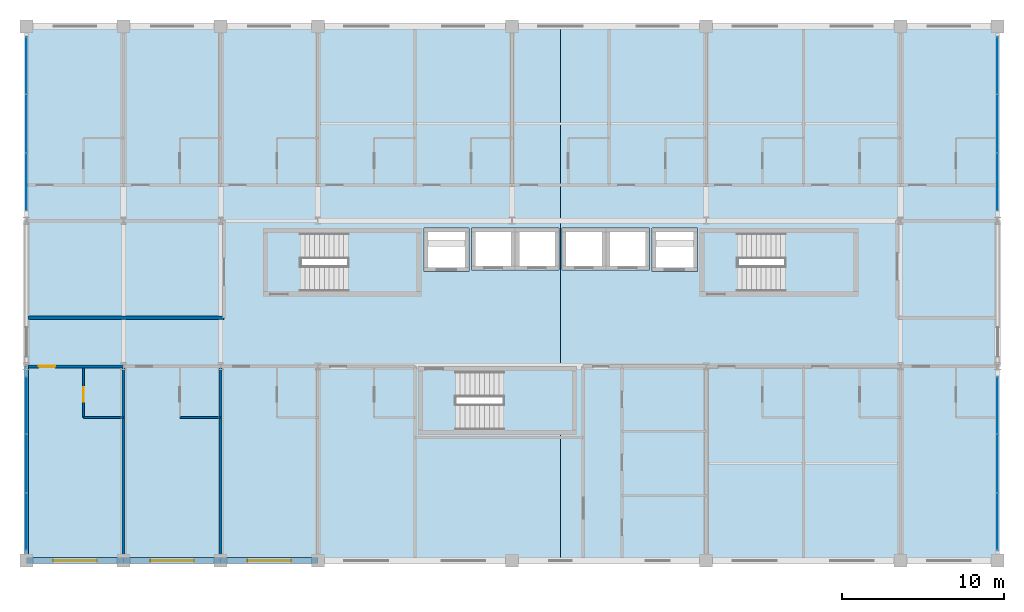
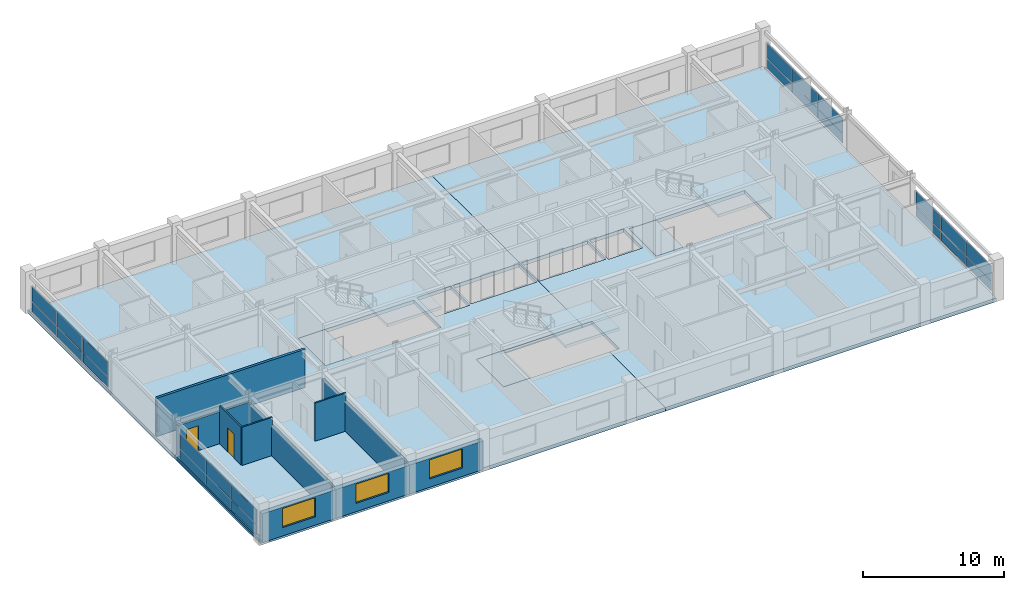
# One storey, part 20 of 26: 24 plates, 11 walls, 8 slabs, 3 windows, 2 doors, 5 openings, 7 elements without a shape of their own.
"""IFC4 building model written with IfcOpenShell, lengths in metres."""

from ifc_helpers import new_model, si_unit, direction, frame, frame_2d, origin, origin_2d, place, context, subcontext, project, spatial, polyline, rectangle, outline, extrude, material, layer, layer_set, type_object, element, fill, aggregate, save


model = new_model("IFC4")

# Units and contexts
model_context = context("Model", 3, precision=1e-05, world=origin(), true_north=direction((0.0, 1.0)))
body_context = subcontext(model_context, "Body", "Model", "MODEL_VIEW")
ifc_project = project(units=[si_unit("LENGTHUNIT", "METRE"), si_unit("AREAUNIT", "SQUARE_METRE"), si_unit("VOLUMEUNIT", "CUBIC_METRE"), si_unit("PLANEANGLEUNIT", "RADIAN"), si_unit("MASSUNIT", "GRAM", prefix="KILO")], contexts=[model_context])

# Site, building, storey
site_placement = place(None, origin())
site = spatial("IfcSite", under=ifc_project, at=site_placement, CompositionType="ELEMENT")
building_placement = place(site_placement, origin())
building = spatial("IfcBuilding", under=site, at=building_placement, Name="Kaldorvane Square Convention Centre", CompositionType="ELEMENT")
storey_placement = place(building_placement, frame((0.0, 0.0, 42.0)))
storey = spatial("IfcBuildingStorey", under=building, at=storey_placement, Name="L09", CompositionType="ELEMENT", Elevation=42.0)

# Curtain wall, plates
ifc_material_1 = material(Name="Anodized Aluminum and Low-E Insulated Glazing", Category="aluminium")
curtain_wall_type_1 = type_object("IfcCurtainWallType", Name="CW-UNI-HTL-A", PredefinedType="USERDEFINED", material=ifc_material_1)
curtain_wall_1_placement = place(storey_placement, origin())
curtain_wall_1 = element("IfcCurtainWall", 1, at=curtain_wall_1_placement, inside=storey, type_object=curtain_wall_type_1, Name="Curtain Wall CW-10 (L09)", ObjectType="UNITISED GLAZING", PredefinedType="USERDEFINED")
ifc_layer_1 = layer(ifc_material_1, 0.0240020751953125)
ifc_layer_set_1 = layer_set([ifc_layer_1], Name="Anodized Aluminum and Low-E Insulated Glazing")
plate_type_1 = type_object("IfcPlateType", Name="CW-PNL-11", PredefinedType="CURTAIN_PANEL", material=ifc_layer_set_1)
plate_1_placement = place(storey_placement, frame((84.0, 86.41499328613281, 0.2050018310546875), z_axis=(0.0, 0.0, 1.0), x_axis=(0.0, 1.0, 0.0)))
plate_1 = element("IfcPlate", 2, at=plate_1_placement, type_object=plate_type_1, Name="CW-10 panel 1.1", PredefinedType="CURTAIN_PANEL", context=body_context, shape_type="SweptSolid", body=[
    extrude(rectangle(XDim=3.5099945068359375, YDim=0.0240020751953125, at=origin_2d()), origin(), (0.0, 0.0, 1.0), 0.8175048828125),
])
plate_2_placement = place(storey_placement, frame((84.0, 86.41499328613281, 1.0774993896484375), z_axis=(0.0, 0.0, 1.0), x_axis=(0.0, 1.0, 0.0)))
plate_2 = element("IfcPlate", 3, at=plate_2_placement, type_object=plate_type_1, Name="CW-10 panel 1.2", PredefinedType="CURTAIN_PANEL", context=body_context, shape_type="SweptSolid", body=[
    extrude(rectangle(XDim=3.5099945068359375, YDim=0.0240020751953125, at=origin_2d()), origin(), (0.0, 0.0, 1.0), 1.277496337890625),
])
plate_3_placement = place(storey_placement, frame((84.0, 90.0, 0.2050018310546875), z_axis=(0.0, 0.0, 1.0), x_axis=(0.0, 1.0, 0.0)))
plate_3 = element("IfcPlate", 4, at=plate_3_placement, type_object=plate_type_1, Name="CW-10 panel 2.1", PredefinedType="CURTAIN_PANEL", context=body_context, shape_type="SweptSolid", body=[
    extrude(rectangle(XDim=3.5399932861328125, YDim=0.0240020751953125, at=origin_2d()), origin(), (0.0, 0.0, 1.0), 0.8175048828125),
])
plate_4_placement = place(storey_placement, frame((84.0, 90.0, 1.0774993896484375), z_axis=(0.0, 0.0, 1.0), x_axis=(0.0, 1.0, 0.0)))
plate_4 = element("IfcPlate", 5, at=plate_4_placement, type_object=plate_type_1, Name="CW-10 panel 2.2", PredefinedType="CURTAIN_PANEL", context=body_context, shape_type="SweptSolid", body=[
    extrude(rectangle(XDim=3.5399932861328125, YDim=0.0240020751953125, at=origin_2d()), origin(), (0.0, 0.0, 1.0), 1.277496337890625),
])
plate_5_placement = place(storey_placement, frame((84.0, 93.58500671386719, 0.2050018310546875), z_axis=(0.0, 0.0, 1.0), x_axis=(0.0, 1.0, 0.0)))
plate_5 = element("IfcPlate", 6, at=plate_5_placement, type_object=plate_type_1, Name="CW-10 panel 3.1", PredefinedType="CURTAIN_PANEL", context=body_context, shape_type="SweptSolid", body=[
    extrude(rectangle(XDim=3.5099945068359375, YDim=0.0240020751953125, at=origin_2d()), origin(), (0.0, 0.0, 1.0), 0.8175048828125),
])
plate_6_placement = place(storey_placement, frame((84.0, 93.58500671386719, 1.0774993896484375), z_axis=(0.0, 0.0, 1.0), x_axis=(0.0, 1.0, 0.0)))
plate_6 = element("IfcPlate", 7, at=plate_6_placement, type_object=plate_type_1, Name="CW-10 panel 3.2", PredefinedType="CURTAIN_PANEL", context=body_context, shape_type="SweptSolid", body=[
    extrude(rectangle(XDim=3.5099945068359375, YDim=0.0240020751953125, at=origin_2d()), origin(), (0.0, 0.0, 1.0), 1.277496337890625),
])
aggregate(curtain_wall_1, [plate_1, plate_2, plate_3, plate_4, plate_5, plate_6])

curtain_wall_2_placement = place(storey_placement, origin())
curtain_wall_2 = element("IfcCurtainWall", 8, at=curtain_wall_2_placement, inside=storey, type_object=curtain_wall_type_1, Name="Curtain Wall CW-10 (L09)", ObjectType="UNITISED GLAZING", PredefinedType="USERDEFINED")
plate_7_placement = place(storey_placement, frame((84.0, 107.41499328613281, 0.2050018310546875), z_axis=(0.0, 0.0, 1.0), x_axis=(0.0, 1.0, 0.0)))
plate_7 = element("IfcPlate", 9, at=plate_7_placement, type_object=plate_type_1, Name="CW-10 panel 1.1", PredefinedType="CURTAIN_PANEL", context=body_context, shape_type="SweptSolid", body=[
    extrude(rectangle(XDim=3.5099945068359375, YDim=0.0240020751953125, at=origin_2d()), origin(), (0.0, 0.0, 1.0), 0.8175048828125),
])
plate_8_placement = place(storey_placement, frame((84.0, 107.41499328613281, 1.0774993896484375), z_axis=(0.0, 0.0, 1.0), x_axis=(0.0, 1.0, 0.0)))
plate_8 = element("IfcPlate", 10, at=plate_8_placement, type_object=plate_type_1, Name="CW-10 panel 1.2", PredefinedType="CURTAIN_PANEL", context=body_context, shape_type="SweptSolid", body=[
    extrude(rectangle(XDim=3.5099945068359375, YDim=0.0240020751953125, at=origin_2d()), origin(), (0.0, 0.0, 1.0), 1.277496337890625),
])
plate_9_placement = place(storey_placement, frame((84.0, 111.0, 0.2050018310546875), z_axis=(0.0, 0.0, 1.0), x_axis=(0.0, 1.0, 0.0)))
plate_9 = element("IfcPlate", 11, at=plate_9_placement, type_object=plate_type_1, Name="CW-10 panel 2.1", PredefinedType="CURTAIN_PANEL", context=body_context, shape_type="SweptSolid", body=[
    extrude(rectangle(XDim=3.5399932861328125, YDim=0.0240020751953125, at=origin_2d()), origin(), (0.0, 0.0, 1.0), 0.8175048828125),
])
plate_10_placement = place(storey_placement, frame((84.0, 111.0, 1.0774993896484375), z_axis=(0.0, 0.0, 1.0), x_axis=(0.0, 1.0, 0.0)))
plate_10 = element("IfcPlate", 12, at=plate_10_placement, type_object=plate_type_1, Name="CW-10 panel 2.2", PredefinedType="CURTAIN_PANEL", context=body_context, shape_type="SweptSolid", body=[
    extrude(rectangle(XDim=3.5399932861328125, YDim=0.0240020751953125, at=origin_2d()), origin(), (0.0, 0.0, 1.0), 1.277496337890625),
])
plate_11_placement = place(storey_placement, frame((84.0, 114.58500671386719, 0.2050018310546875), z_axis=(0.0, 0.0, 1.0), x_axis=(0.0, 1.0, 0.0)))
plate_11 = element("IfcPlate", 13, at=plate_11_placement, type_object=plate_type_1, Name="CW-10 panel 3.1", PredefinedType="CURTAIN_PANEL", context=body_context, shape_type="SweptSolid", body=[
    extrude(rectangle(XDim=3.5099945068359375, YDim=0.0240020751953125, at=origin_2d()), origin(), (0.0, 0.0, 1.0), 0.8175048828125),
])
plate_12_placement = place(storey_placement, frame((84.0, 114.58500671386719, 1.0774993896484375), z_axis=(0.0, 0.0, 1.0), x_axis=(0.0, 1.0, 0.0)))
plate_12 = element("IfcPlate", 14, at=plate_12_placement, type_object=plate_type_1, Name="CW-10 panel 3.2", PredefinedType="CURTAIN_PANEL", context=body_context, shape_type="SweptSolid", body=[
    extrude(rectangle(XDim=3.5099945068359375, YDim=0.0240020751953125, at=origin_2d()), origin(), (0.0, 0.0, 1.0), 1.277496337890625),
])
aggregate(curtain_wall_2, [plate_7, plate_8, plate_9, plate_10, plate_11, plate_12])

curtain_wall_type_2 = type_object("IfcCurtainWallType", Name="CW-UNI-HTL-B", PredefinedType="USERDEFINED", material=ifc_material_1)
curtain_wall_3_placement = place(storey_placement, origin())
curtain_wall_3 = element("IfcCurtainWall", 15, at=curtain_wall_3_placement, inside=storey, type_object=curtain_wall_type_2, Name="Curtain Wall CW-11 (L09)", ObjectType="UNITISED GLAZING", PredefinedType="USERDEFINED")
ifc_layer_2 = layer(ifc_material_1, 0.0460052490234375)
ifc_layer_set_2 = layer_set([ifc_layer_2], Name="Anodized Aluminum and Low-E Insulated Glazing")
plate_type_2 = type_object("IfcPlateType", Name="CW-PNL-12", PredefinedType="CURTAIN_PANEL", material=ifc_layer_set_2)
plate_13_placement = place(storey_placement, frame((24.0, 93.58500671386719, 0.2050018310546875), z_axis=(0.0, 0.0, 1.0), x_axis=(0.0, -1.0, 0.0)))
plate_13 = element("IfcPlate", 16, at=plate_13_placement, type_object=plate_type_2, Name="CW-11 panel 1.1", PredefinedType="CURTAIN_PANEL", context=body_context, shape_type="SweptSolid", body=[
    extrude(rectangle(XDim=3.5099945068359375, YDim=0.0460052490234375, at=origin_2d()), origin(), (0.0, 0.0, 1.0), 0.8175048828125),
])
plate_14_placement = place(storey_placement, frame((24.0, 93.58500671386719, 1.0774993896484375), z_axis=(0.0, 0.0, 1.0), x_axis=(0.0, -1.0, 0.0)))
plate_14 = element("IfcPlate", 17, at=plate_14_placement, type_object=plate_type_2, Name="CW-11 panel 1.2", PredefinedType="CURTAIN_PANEL", context=body_context, shape_type="SweptSolid", body=[
    extrude(rectangle(XDim=3.5099945068359375, YDim=0.0460052490234375, at=origin_2d()), origin(), (0.0, 0.0, 1.0), 1.277496337890625),
])
plate_15_placement = place(storey_placement, frame((24.0, 90.0, 0.2050018310546875), z_axis=(0.0, 0.0, 1.0), x_axis=(0.0, -1.0, 0.0)))
plate_15 = element("IfcPlate", 18, at=plate_15_placement, type_object=plate_type_2, Name="CW-11 panel 2.1", PredefinedType="CURTAIN_PANEL", context=body_context, shape_type="SweptSolid", body=[
    extrude(rectangle(XDim=3.5399932861328125, YDim=0.0460052490234375, at=origin_2d()), origin(), (0.0, 0.0, 1.0), 0.8175048828125),
])
plate_16_placement = place(storey_placement, frame((24.0, 90.0, 1.0774993896484375), z_axis=(0.0, 0.0, 1.0), x_axis=(0.0, -1.0, 0.0)))
plate_16 = element("IfcPlate", 19, at=plate_16_placement, type_object=plate_type_2, Name="CW-11 panel 2.2", PredefinedType="CURTAIN_PANEL", context=body_context, shape_type="SweptSolid", body=[
    extrude(rectangle(XDim=3.5399932861328125, YDim=0.0460052490234375, at=origin_2d()), origin(), (0.0, 0.0, 1.0), 1.277496337890625),
])
plate_17_placement = place(storey_placement, frame((24.0, 86.41499328613281, 0.2050018310546875), z_axis=(0.0, 0.0, 1.0), x_axis=(0.0, -1.0, 0.0)))
plate_17 = element("IfcPlate", 20, at=plate_17_placement, type_object=plate_type_2, Name="CW-11 panel 3.1", PredefinedType="CURTAIN_PANEL", context=body_context, shape_type="SweptSolid", body=[
    extrude(rectangle(XDim=3.5099945068359375, YDim=0.0460052490234375, at=origin_2d()), origin(), (0.0, 0.0, 1.0), 0.8175048828125),
])
plate_18_placement = place(storey_placement, frame((24.0, 86.41499328613281, 1.0774993896484375), z_axis=(0.0, 0.0, 1.0), x_axis=(0.0, -1.0, 0.0)))
plate_18 = element("IfcPlate", 21, at=plate_18_placement, type_object=plate_type_2, Name="CW-11 panel 3.2", PredefinedType="CURTAIN_PANEL", context=body_context, shape_type="SweptSolid", body=[
    extrude(rectangle(XDim=3.5099945068359375, YDim=0.0460052490234375, at=origin_2d()), origin(), (0.0, 0.0, 1.0), 1.277496337890625),
])
aggregate(curtain_wall_3, [plate_13, plate_14, plate_15, plate_16, plate_17, plate_18])

curtain_wall_4_placement = place(storey_placement, origin())
curtain_wall_4 = element("IfcCurtainWall", 22, at=curtain_wall_4_placement, inside=storey, type_object=curtain_wall_type_2, Name="Curtain Wall CW-11 (L09)", ObjectType="UNITISED GLAZING", PredefinedType="USERDEFINED")
plate_19_placement = place(storey_placement, frame((24.0, 114.58500671386719, 0.2050018310546875), z_axis=(0.0, 0.0, 1.0), x_axis=(0.0, -1.0, 0.0)))
plate_19 = element("IfcPlate", 23, at=plate_19_placement, type_object=plate_type_2, Name="CW-11 panel 1.1", PredefinedType="CURTAIN_PANEL", context=body_context, shape_type="SweptSolid", body=[
    extrude(rectangle(XDim=3.5099945068359375, YDim=0.0460052490234375, at=origin_2d()), origin(), (0.0, 0.0, 1.0), 0.8175048828125),
])
plate_20_placement = place(storey_placement, frame((24.0, 114.58500671386719, 1.0774993896484375), z_axis=(0.0, 0.0, 1.0), x_axis=(0.0, -1.0, 0.0)))
plate_20 = element("IfcPlate", 24, at=plate_20_placement, type_object=plate_type_2, Name="CW-11 panel 1.2", PredefinedType="CURTAIN_PANEL", context=body_context, shape_type="SweptSolid", body=[
    extrude(rectangle(XDim=3.5099945068359375, YDim=0.0460052490234375, at=origin_2d()), origin(), (0.0, 0.0, 1.0), 1.277496337890625),
])
plate_21_placement = place(storey_placement, frame((24.0, 111.0, 0.2050018310546875), z_axis=(0.0, 0.0, 1.0), x_axis=(0.0, -1.0, 0.0)))
plate_21 = element("IfcPlate", 25, at=plate_21_placement, type_object=plate_type_2, Name="CW-11 panel 2.1", PredefinedType="CURTAIN_PANEL", context=body_context, shape_type="SweptSolid", body=[
    extrude(rectangle(XDim=3.5399932861328125, YDim=0.0460052490234375, at=origin_2d()), origin(), (0.0, 0.0, 1.0), 0.8175048828125),
])
plate_22_placement = place(storey_placement, frame((24.0, 111.0, 1.0774993896484375), z_axis=(0.0, 0.0, 1.0), x_axis=(0.0, -1.0, 0.0)))
plate_22 = element("IfcPlate", 26, at=plate_22_placement, type_object=plate_type_2, Name="CW-11 panel 2.2", PredefinedType="CURTAIN_PANEL", context=body_context, shape_type="SweptSolid", body=[
    extrude(rectangle(XDim=3.5399932861328125, YDim=0.0460052490234375, at=origin_2d()), origin(), (0.0, 0.0, 1.0), 1.277496337890625),
])
plate_23_placement = place(storey_placement, frame((24.0, 107.41499328613281, 0.2050018310546875), z_axis=(0.0, 0.0, 1.0), x_axis=(0.0, -1.0, 0.0)))
plate_23 = element("IfcPlate", 27, at=plate_23_placement, type_object=plate_type_2, Name="CW-11 panel 3.1", PredefinedType="CURTAIN_PANEL", context=body_context, shape_type="SweptSolid", body=[
    extrude(rectangle(XDim=3.5099945068359375, YDim=0.0460052490234375, at=origin_2d()), origin(), (0.0, 0.0, 1.0), 0.8175048828125),
])
plate_24_placement = place(storey_placement, frame((24.0, 107.41499328613281, 1.0774993896484375), z_axis=(0.0, 0.0, 1.0), x_axis=(0.0, -1.0, 0.0)))
plate_24 = element("IfcPlate", 28, at=plate_24_placement, type_object=plate_type_2, Name="CW-11 panel 3.2", PredefinedType="CURTAIN_PANEL", context=body_context, shape_type="SweptSolid", body=[
    extrude(rectangle(XDim=3.5099945068359375, YDim=0.0460052490234375, at=origin_2d()), origin(), (0.0, 0.0, 1.0), 1.277496337890625),
])
aggregate(curtain_wall_4, [plate_19, plate_20, plate_21, plate_22, plate_23, plate_24])

# Slabs
ifc_material_2 = material(Name="Concrete f'c = 42 MPa (Normalweight)", Category="concrete")
ifc_layer_3 = layer(ifc_material_2, 0.279998779296875)
ifc_layer_set_3 = layer_set([ifc_layer_3], Name="Concrete f'c = 42 MPa (Normalweight)")
slab_type_1 = type_object("IfcSlabType", Name="SL-FLND-280", PredefinedType="FLOOR", material=ifc_layer_set_3)
slab_1_placement = place(storey_placement, frame((0.0, 0.0, -0.279998779296875)))
element("IfcSlab", 29, at=slab_1_placement, inside=storey, type_object=slab_type_1, Name="Tower Exit Stair T1 Floor Landing (L09)", PredefinedType="FLOOR", context=body_context, shape_type="SweptSolid", body=[
    extrude(outline(polyline([(38.779998779296875, 100.49000549316406), (40.97999572753906, 100.49000549316406), (40.97999572753906, 104.3699951171875), (38.779998779296875, 104.3699951171875), (38.779998779296875, 100.49000549316406)])), origin(), (0.0, 0.0, 1.0), 0.279998779296875),
])
slab_2_placement = place(storey_placement, frame((0.0, 0.0, -0.279998779296875)))
element("IfcSlab", 30, at=slab_2_placement, inside=storey, type_object=slab_type_1, Name="Tower Exit Stair T2 Floor Landing (L09)", PredefinedType="FLOOR", context=body_context, shape_type="SweptSolid", body=[
    extrude(outline(polyline([(65.77999877929688, 100.49000549316406), (67.97999572753906, 100.49000549316406), (67.97999572753906, 104.3699951171875), (65.77999877929688, 104.3699951171875), (65.77999877929688, 100.49000549316406)])), origin(), (0.0, 0.0, 1.0), 0.279998779296875),
])
slab_3_placement = place(storey_placement, frame((0.0, 0.0, -0.279998779296875)))
element("IfcSlab", 31, at=slab_3_placement, inside=storey, type_object=slab_type_1, Name="Tower Exit Stair T3 Floor Landing (L09)", PredefinedType="FLOOR", context=body_context, shape_type="SweptSolid", body=[
    extrude(outline(polyline([(48.3800048828125, 91.94000244140625), (50.58000183105469, 91.94000244140625), (50.58000183105469, 95.82000732421875), (48.3800048828125, 95.82000732421875), (48.3800048828125, 91.94000244140625)])), origin(), (0.0, 0.0, 1.0), 0.279998779296875),
])
ifc_layer_4 = layer(ifc_material_2, 0.30999755859375)
ifc_layer_set_4 = layer_set([ifc_layer_4], Name="Concrete f'c = 42 MPa (Normalweight)")
slab_type_2 = type_object("IfcSlabType", Name="SL-HTL-250", PredefinedType="FLOOR", material=ifc_layer_set_4)
slab_4_placement = place(storey_placement, frame((0.0, 0.0, -0.30999755859375)))
element("IfcSlab", 32, at=slab_4_placement, inside=storey, type_object=slab_type_2, Name="Hotel Tower Floor Slab L09-1.1", PredefinedType="FLOOR", context=body_context, shape_type="SweptSolid", body=[
    extrude(outline(polyline([(24.0, 117.0), (57.0, 117.0), (57.0, 95.82000732421875), (48.3800048828125, 95.82000732421875), (48.3800048828125, 91.94000244140625), (57.0, 91.94000244140625), (57.0, 84.0), (24.0, 84.0), (24.0, 117.0)]), holes=[polyline([(38.779998779296875, 104.3699951171875), (38.779998779296875, 100.49000549316406), (48.220001220703125, 100.49000549316406), (48.220001220703125, 104.3699951171875), (38.779998779296875, 104.3699951171875)]), polyline([(48.55000305175781, 104.55000305175781), (48.55000305175781, 101.85000610351562), (51.350006103515625, 101.85000610351562), (51.350006103515625, 104.55000305175781), (48.55000305175781, 104.55000305175781)]), polyline([(51.5, 104.55000305175781), (51.5, 101.94999694824219), (54.19999694824219, 101.94999694824219), (56.899993896484375, 101.94999694824219), (56.899993896484375, 104.55000305175781), (54.19999694824219, 104.55000305175781), (51.5, 104.55000305175781)])]), origin(), (0.0, 0.0, 1.0), 0.30999755859375),
])
slab_5_placement = place(storey_placement, frame((0.0, 0.0, -0.30999755859375)))
element("IfcSlab", 33, at=slab_5_placement, inside=storey, type_object=slab_type_2, Name="Hotel Tower Floor Slab L09-2.1", PredefinedType="FLOOR", context=body_context, shape_type="SweptSolid", body=[
    extrude(outline(polyline([(84.0, 117.0), (84.0, 84.0), (57.0, 84.0), (57.0, 91.94000244140625), (57.82000732421875, 91.94000244140625), (57.82000732421875, 95.82000732421875), (57.0, 95.82000732421875), (57.0, 117.0), (84.0, 117.0)]), holes=[polyline([(65.77999877929688, 104.3699951171875), (65.77999877929688, 100.49000549316406), (75.22000122070312, 100.49000549316406), (75.22000122070312, 104.3699951171875), (65.77999877929688, 104.3699951171875)]), polyline([(62.649993896484375, 104.55000305175781), (62.649993896484375, 101.85000610351562), (65.44999694824219, 101.85000610351562), (65.44999694824219, 104.55000305175781), (62.649993896484375, 104.55000305175781)]), polyline([(57.100006103515625, 104.55000305175781), (57.100006103515625, 101.94999694824219), (59.80000305175781, 101.94999694824219), (62.5, 101.94999694824219), (62.5, 104.55000305175781), (59.80000305175781, 104.55000305175781), (57.100006103515625, 104.55000305175781)])]), origin(), (0.0, 0.0, 1.0), 0.30999755859375),
])

# Stair, slab
stair_type = type_object("IfcStairType", Name="ST-DL-1600-3600", PredefinedType="HALF_TURN_STAIR", material=ifc_material_2)
stair_1_placement = place(storey_placement, origin())
stair_1 = element("IfcStair", 34, at=stair_1_placement, inside=storey, type_object=stair_type, Name="Tower Exit Stair T1 (L09)", PredefinedType="HALF_TURN_STAIR")
ifc_layer_5 = layer(ifc_material_2, 0.2400054931640625)
ifc_layer_set_5 = layer_set([ifc_layer_5], Name="Concrete f'c = 42 MPa (Normalweight)")
slab_type_3 = type_object("IfcSlabType", Name="SL-LAND-240", PredefinedType="LANDING", material=ifc_layer_set_5)
slab_6_placement = place(storey_placement, frame((0.0, 0.0, 1.55999755859375)))
slab_6 = element("IfcSlab", 35, at=slab_6_placement, type_object=slab_type_3, Name="Tower Exit Stair T1 Half Landing (L09)", PredefinedType="LANDING", context=body_context, shape_type="SweptSolid", body=[
    extrude(outline(polyline([(43.82000732421875, 100.49000549316406), (48.220001220703125, 100.49000549316406), (48.220001220703125, 104.3699951171875), (43.82000732421875, 104.3699951171875), (43.82000732421875, 100.49000549316406)])), origin(), (0.0, 0.0, 1.0), 0.2400054931640625),
])
aggregate(stair_1, [slab_6])

stair_2_placement = place(storey_placement, origin())
stair_2 = element("IfcStair", 36, at=stair_2_placement, inside=storey, type_object=stair_type, Name="Tower Exit Stair T2 (L09)", PredefinedType="HALF_TURN_STAIR")
slab_7_placement = place(storey_placement, frame((0.0, 0.0, 1.55999755859375)))
slab_7 = element("IfcSlab", 37, at=slab_7_placement, type_object=slab_type_3, Name="Tower Exit Stair T2 Half Landing (L09)", PredefinedType="LANDING", context=body_context, shape_type="SweptSolid", body=[
    extrude(outline(polyline([(70.82000732421875, 100.49000549316406), (75.22000122070312, 100.49000549316406), (75.22000122070312, 104.3699951171875), (70.82000732421875, 104.3699951171875), (70.82000732421875, 100.49000549316406)])), origin(), (0.0, 0.0, 1.0), 0.2400054931640625),
])
aggregate(stair_2, [slab_7])

stair_3_placement = place(storey_placement, origin())
stair_3 = element("IfcStair", 38, at=stair_3_placement, inside=storey, type_object=stair_type, Name="Tower Exit Stair T3 (L09)", PredefinedType="HALF_TURN_STAIR")
slab_8_placement = place(storey_placement, frame((0.0, 0.0, 1.55999755859375)))
slab_8 = element("IfcSlab", 39, at=slab_8_placement, type_object=slab_type_3, Name="Tower Exit Stair T3 Half Landing (L09)", PredefinedType="LANDING", context=body_context, shape_type="SweptSolid", body=[
    extrude(outline(polyline([(53.41999816894531, 91.94000244140625), (57.82000732421875, 91.94000244140625), (57.82000732421875, 95.82000732421875), (53.41999816894531, 95.82000732421875), (53.41999816894531, 91.94000244140625)])), origin(), (0.0, 0.0, 1.0), 0.2400054931640625),
])
aggregate(stair_3, [slab_8])

# Wall, opening, door
ifc_material_3 = material(Name="Fire-Rated Gypsum Board on Acoustic Steel Studs", Category="steel")
ifc_layer_6 = layer(ifc_material_3, 0.125)
ifc_layer_set_6 = layer_set([ifc_layer_6], Name="Fire-Rated Gypsum Board on Acoustic Steel Studs")
wall_type_1 = type_object("IfcWallType", Name="WL-BATH-125", PredefinedType="PARTITIONING", material=ifc_layer_set_6)
wall_1_placement = place(storey_placement, frame((27.520004272460938, 92.85000610351562, 0.0), z_axis=(0.0, 0.0, 1.0), x_axis=(0.0, 1.0, 0.0)))
wall_1 = element("IfcWall", 40, at=wall_1_placement, inside=storey, type_object=wall_type_1, Name="En-Suite 911 West Wall", PredefinedType="PARTITIONING", context=body_context, shape_type="SweptSolid", body=[
    extrude(rectangle(XDim=3.05999755859375, YDim=0.125, at=frame_2d((1.529998779296875, 0.0))), origin(), (0.0, 0.0, 1.0), 3.2899932861328125),
])
opening_1_placement = place(wall_1_placement, frame((0.9499969482421875, 0.0, 0.0)))
opening_1 = element("IfcOpeningElement", 41, at=opening_1_placement, cuts=wall_1, Name="Opening ID-12", PredefinedType="OPENING", context=body_context, shape_type="SweptSolid", body=[
    extrude(rectangle(XDim=0.9199981689453125, YDim=2.100006103515625, at=frame_2d((0.459991455078125, 1.0500030517578125))), frame((0.0, 0.0774993896484375, 0.0), z_axis=(0.0, -1.0, 0.0), x_axis=(1.0, 0.0, 0.0)), (0.0, 0.0, 1.0), 0.154998779296875),
])
ifc_material_4 = material(Name="Architectural Solid-Core White Oak")
door_type_1 = type_object("IfcDoorType", Name="DR-BATH-0920X2100", OperationType="SINGLE_SWING_RIGHT", PredefinedType="DOOR", material=ifc_material_4)
door_1_placement = place(opening_1_placement, origin())
door_1 = element("IfcDoor", 42, at=door_1_placement, inside=storey, type_object=door_type_1, Name="En-Suite Bathroom 911 Door", OperationType="SINGLE_SWING_RIGHT", OverallHeight=2.100006103515625, OverallWidth=0.9199981689453125, PredefinedType="DOOR", context=body_context, shape_type="SweptSolid", body=[
    extrude(rectangle(XDim=0.9199981689453125, YDim=2.100006103515625, at=frame_2d((0.459991455078125, 1.0500030517578125))), frame((0.0, 0.024993896484375, 0.0), z_axis=(0.0, -1.0, 0.0), x_axis=(1.0, 0.0, 0.0)), (0.0, 0.0, 1.0), 0.0500030517578125),
])
fill(opening_1, door_1)

# Walls
wall_2_placement = place(storey_placement, frame((27.520004272460938, 92.85000610351562, 0.0), z_axis=(0.0, 0.0, 1.0), x_axis=(1.0, 0.0, 0.0)))
element("IfcWall", 43, at=wall_2_placement, inside=storey, type_object=wall_type_1, Name="En-Suite 911 South Wall", PredefinedType="PARTITIONING", context=body_context, shape_type="SweptSolid", body=[
    extrude(rectangle(XDim=2.4799957275390625, YDim=0.125, at=frame_2d((1.239990234375, 0.0))), origin(), (0.0, 0.0, 1.0), 3.2899932861328125),
])
wall_3_placement = place(storey_placement, frame((33.47999572753906, 92.85000610351562, 0.0), z_axis=(0.0, 0.0, 1.0), x_axis=(1.0, 0.0, 0.0)))
element("IfcWall", 44, at=wall_3_placement, inside=storey, type_object=wall_type_1, Name="En-Suite 912 South Wall", PredefinedType="PARTITIONING", context=body_context, shape_type="SweptSolid", body=[
    extrude(rectangle(XDim=2.5200042724609375, YDim=0.125, at=frame_2d((1.260009765625, 0.0))), origin(), (0.0, 0.0, 1.0), 3.2899932861328125),
])
ifc_layer_7 = layer(ifc_material_3, 0.1999969482421875)
ifc_layer_set_7 = layer_set([ifc_layer_7], Name="Fire-Rated Gypsum Board on Acoustic Steel Studs")
wall_type_2 = type_object("IfcWallType", Name="WL-CORR-200", PredefinedType="PARTITIONING", material=ifc_layer_set_7)
wall_4_placement = place(storey_placement, frame((24.085006713867188, 99.0, 0.0), z_axis=(0.0, 0.0, 1.0), x_axis=(1.0, 0.0, 0.0)))
element("IfcWall", 45, at=wall_4_placement, inside=storey, type_object=wall_type_2, Name="West Sunset Sitting Alcove (L09) S Wall", PredefinedType="PARTITIONING", context=body_context, shape_type="SweptSolid", body=[
    extrude(rectangle(XDim=12.114990234375, YDim=0.1999969482421875, at=frame_2d((6.0574951171875, 0.0))), origin(), (0.0, 0.0, 1.0), 3.2899932861328125),
])

# Wall, opening, window
ifc_layer_8 = layer(ifc_material_2, 0.350006103515625)
ifc_layer_set_8 = layer_set([ifc_layer_8], Name="Concrete f'c = 42 MPa (Normalweight)")
wall_type_3 = type_object("IfcWallType", Name="WL-EXT-350", PredefinedType="STANDARD", material=ifc_layer_set_8)
wall_5_placement = place(storey_placement, frame((24.0, 84.0, 0.0), z_axis=(0.0, 0.0, 1.0), x_axis=(1.0, 0.0, 0.0)))
wall_5 = element("IfcWall", 46, at=wall_5_placement, inside=storey, type_object=wall_type_3, Name="Hotel S Brutalist Facade Wall (L09)", PredefinedType="STANDARD", context=body_context, shape_type="SweptSolid", body=[
    extrude(rectangle(XDim=6.0, YDim=0.350006103515625, at=frame_2d((3.0, 0.0))), origin(), (0.0, 0.0, 1.0), 2.485992431640625),
])
opening_2_placement = place(wall_5_placement, frame((1.649993896484375, 0.0, 0.720001220703125)))
opening_2 = element("IfcOpeningElement", 47, at=opening_2_placement, cuts=wall_5, Name="Opening W-03", PredefinedType="OPENING", context=body_context, shape_type="SweptSolid", body=[
    extrude(rectangle(XDim=2.6999969482421875, YDim=1.649993896484375, at=frame_2d((1.350006103515625, 0.8249969482421875))), frame((0.0, 0.19000244140625, 0.0), z_axis=(0.0, -1.0, 0.0), x_axis=(1.0, 0.0, 0.0)), (0.0, 0.0, 1.0), 0.3800048828125),
])
window_type = type_object("IfcWindowType", Name="WN-HTL-2700X1650", PartitioningType="TRIPLE_PANEL_VERTICAL", PredefinedType="WINDOW", material=ifc_material_1)
window_1_placement = place(opening_2_placement, origin())
window_1 = element("IfcWindow", 48, at=window_1_placement, inside=storey, type_object=window_type, Name="Hotel S Window (L09)", OverallHeight=1.649993896484375, OverallWidth=2.6999969482421875, PartitioningType="TRIPLE_PANEL_VERTICAL", PredefinedType="WINDOW", context=body_context, shape_type="SweptSolid", body=[
    extrude(rectangle(XDim=2.6999969482421875, YDim=1.649993896484375, at=frame_2d((1.350006103515625, 0.8249969482421875))), frame((0.0, 0.029998779296875, 0.0), z_axis=(0.0, -1.0, 0.0), x_axis=(1.0, 0.0, 0.0)), (0.0, 0.0, 1.0), 0.05999755859375),
])
fill(opening_2, window_1)

wall_6_placement = place(storey_placement, frame((30.0, 84.0, 0.0), z_axis=(0.0, 0.0, 1.0), x_axis=(1.0, 0.0, 0.0)))
wall_6 = element("IfcWall", 49, at=wall_6_placement, inside=storey, type_object=wall_type_3, Name="Hotel S Brutalist Facade Wall (L09)", PredefinedType="STANDARD", context=body_context, shape_type="SweptSolid", body=[
    extrude(rectangle(XDim=6.0, YDim=0.350006103515625, at=frame_2d((3.0, 0.0))), origin(), (0.0, 0.0, 1.0), 2.485992431640625),
])
opening_3_placement = place(wall_6_placement, frame((1.649993896484375, 0.0, 0.720001220703125)))
opening_3 = element("IfcOpeningElement", 50, at=opening_3_placement, cuts=wall_6, Name="Opening W-03", PredefinedType="OPENING", context=body_context, shape_type="SweptSolid", body=[
    extrude(rectangle(XDim=2.6999969482421875, YDim=1.649993896484375, at=frame_2d((1.350006103515625, 0.8249969482421875))), frame((0.0, 0.19000244140625, 0.0), z_axis=(0.0, -1.0, 0.0), x_axis=(1.0, 0.0, 0.0)), (0.0, 0.0, 1.0), 0.3800048828125),
])
window_2_placement = place(opening_3_placement, origin())
window_2 = element("IfcWindow", 51, at=window_2_placement, inside=storey, type_object=window_type, Name="Hotel S Window (L09)", OverallHeight=1.649993896484375, OverallWidth=2.6999969482421875, PartitioningType="TRIPLE_PANEL_VERTICAL", PredefinedType="WINDOW", context=body_context, shape_type="SweptSolid", body=[
    extrude(rectangle(XDim=2.6999969482421875, YDim=1.649993896484375, at=frame_2d((1.350006103515625, 0.8249969482421875))), frame((0.0, 0.029998779296875, 0.0), z_axis=(0.0, -1.0, 0.0), x_axis=(1.0, 0.0, 0.0)), (0.0, 0.0, 1.0), 0.05999755859375),
])
fill(opening_3, window_2)

wall_7_placement = place(storey_placement, frame((36.0, 84.0, 0.0), z_axis=(0.0, 0.0, 1.0), x_axis=(1.0, 0.0, 0.0)))
wall_7 = element("IfcWall", 52, at=wall_7_placement, inside=storey, type_object=wall_type_3, Name="Hotel S Brutalist Facade Wall (L09)", PredefinedType="STANDARD", context=body_context, shape_type="SweptSolid", body=[
    extrude(rectangle(XDim=6.0, YDim=0.350006103515625, at=frame_2d((3.0, 0.0))), origin(), (0.0, 0.0, 1.0), 2.485992431640625),
])
opening_4_placement = place(wall_7_placement, frame((1.649993896484375, 0.0, 0.720001220703125)))
opening_4 = element("IfcOpeningElement", 53, at=opening_4_placement, cuts=wall_7, Name="Opening W-03", PredefinedType="OPENING", context=body_context, shape_type="SweptSolid", body=[
    extrude(rectangle(XDim=2.6999969482421875, YDim=1.649993896484375, at=frame_2d((1.350006103515625, 0.8249969482421875))), frame((0.0, 0.19000244140625, 0.0), z_axis=(0.0, -1.0, 0.0), x_axis=(1.0, 0.0, 0.0)), (0.0, 0.0, 1.0), 0.3800048828125),
])
window_3_placement = place(opening_4_placement, origin())
window_3 = element("IfcWindow", 54, at=window_3_placement, inside=storey, type_object=window_type, Name="Hotel S Window (L09)", OverallHeight=1.649993896484375, OverallWidth=2.6999969482421875, PartitioningType="TRIPLE_PANEL_VERTICAL", PredefinedType="WINDOW", context=body_context, shape_type="SweptSolid", body=[
    extrude(rectangle(XDim=2.6999969482421875, YDim=1.649993896484375, at=frame_2d((1.350006103515625, 0.8249969482421875))), frame((0.0, 0.029998779296875, 0.0), z_axis=(0.0, -1.0, 0.0), x_axis=(1.0, 0.0, 0.0)), (0.0, 0.0, 1.0), 0.05999755859375),
])
fill(opening_4, window_3)

# Wall
ifc_material_5 = material(Name="Concrete f'c = 35 MPa (Normalweight)", Category="concrete")
ifc_layer_9 = layer(ifc_material_5, 0.220001220703125)
ifc_layer_set_9 = layer_set([ifc_layer_9], Name="Concrete f'c = 35 MPa (Normalweight)")
wall_type_4 = type_object("IfcWallType", Name="WL-PAR-220", PredefinedType="PARAPET", material=ifc_layer_set_9)
wall_8_placement = place(storey_placement, frame((24.0, 96.0, 0.0), z_axis=(0.0, 0.0, 1.0), x_axis=(0.0, -1.0, 0.0)))
element("IfcWall", 55, at=wall_8_placement, inside=storey, type_object=wall_type_4, Name="Hotel End Curtain-Wall Sill (L09)", PredefinedType="PARAPET", context=body_context, shape_type="SweptSolid", body=[
    extrude(rectangle(XDim=12.0, YDim=0.220001220703125, at=frame_2d((6.0, 0.0))), origin(), (0.0, 0.0, 1.0), 0.1999969482421875),
])

# Wall, opening, door
ifc_layer_10 = layer(ifc_material_3, 0.17999267578125)
ifc_layer_set_10 = layer_set([ifc_layer_10], Name="Fire-Rated Gypsum Board on Acoustic Steel Studs")
wall_type_5 = type_object("IfcWallType", Name="WL-UNIT-180", PredefinedType="PARTITIONING", material=ifc_layer_set_10)
wall_9_placement = place(storey_placement, frame((24.085006713867188, 96.0, 0.0), z_axis=(0.0, 0.0, 1.0), x_axis=(1.0, 0.0, 0.0)))
wall_9 = element("IfcWall", 56, at=wall_9_placement, inside=storey, type_object=wall_type_5, Name="Hotel Guest Room 911 Corridor Wall", PredefinedType="PARTITIONING", context=body_context, shape_type="SweptSolid", body=[
    extrude(rectangle(XDim=5.9149932861328125, YDim=0.17999267578125, at=frame_2d((2.957489013671875, 0.0))), origin(), (0.0, 0.0, 1.0), 2.735992431640625),
])
opening_5_placement = place(wall_9_placement, frame((0.68499755859375, 0.0, 0.0)))
opening_5 = element("IfcOpeningElement", 57, at=opening_5_placement, cuts=wall_9, Name="Opening ID-10", PredefinedType="OPENING", context=body_context, shape_type="SweptSolid", body=[
    extrude(rectangle(XDim=1.0, YDim=2.149993896484375, at=frame_2d((0.5, 1.0749969482421875))), frame((0.0, 0.1049957275390625, 0.0), z_axis=(0.0, -1.0, 0.0), x_axis=(1.0, 0.0, 0.0)), (0.0, 0.0, 1.0), 0.209991455078125),
])
door_type_2 = type_object("IfcDoorType", Name="DR-GUEST-1000X2150", OperationType="SINGLE_SWING_LEFT", PredefinedType="DOOR", material=ifc_material_4)
door_2_placement = place(opening_5_placement, origin())
door_2 = element("IfcDoor", 58, at=door_2_placement, inside=storey, type_object=door_type_2, Name="Hotel Guest Room 911 Entry Door", OperationType="SINGLE_SWING_LEFT", OverallHeight=2.149993896484375, OverallWidth=1.0, PredefinedType="DOOR", context=body_context, shape_type="SweptSolid", body=[
    extrude(rectangle(XDim=1.0, YDim=2.149993896484375, at=frame_2d((0.5, 1.0749969482421875))), frame((0.0, 0.024993896484375, 0.0), z_axis=(0.0, -1.0, 0.0), x_axis=(1.0, 0.0, 0.0)), (0.0, 0.0, 1.0), 0.0500030517578125),
])
fill(opening_5, door_2)

# Walls
for number, where, z_axis, x_axis, name in (
    (59, (30.0, 84.17500305175781, 0.0), (0.0, 0.0, 1.0), (0.0, 1.0, 0.0), "Guestroom Demising Wall 911"),
    (60, (36.0, 84.17500305175781, 0.0), (0.0, 0.0, 1.0), (0.0, 1.0, 0.0), "Guestroom Demising Wall 912"),
):
    element("IfcWall", number, at=place(storey_placement, frame(where, z_axis=z_axis, x_axis=x_axis)), inside=storey, type_object=wall_type_5, Name=name, PredefinedType="PARTITIONING", context=body_context, shape_type="SweptSolid", body=[
        extrude(rectangle(XDim=11.824996948242188, YDim=0.17999267578125, at=frame_2d((5.912506103515625, 0.0))), origin(), (0.0, 0.0, 1.0), 2.589996337890625),
    ])

save(model, "model.ifc")
